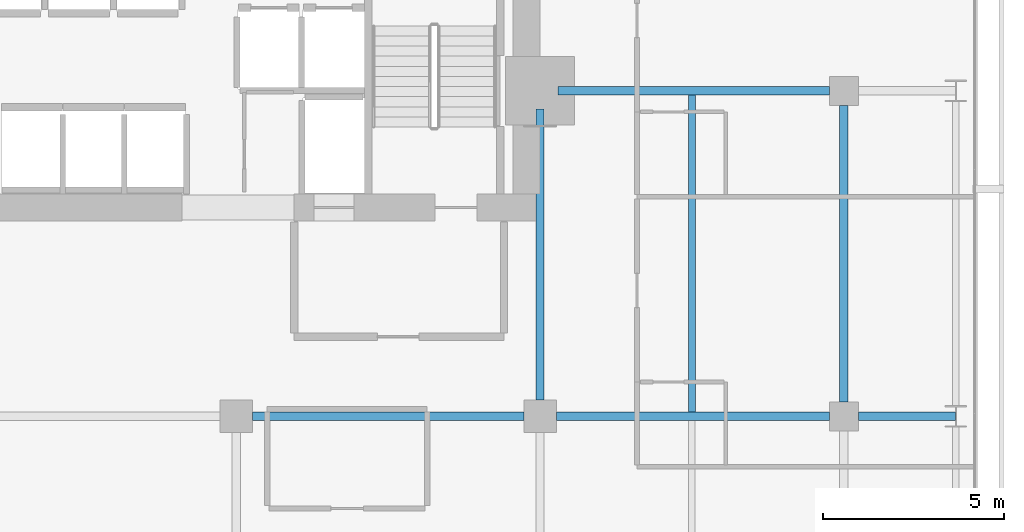
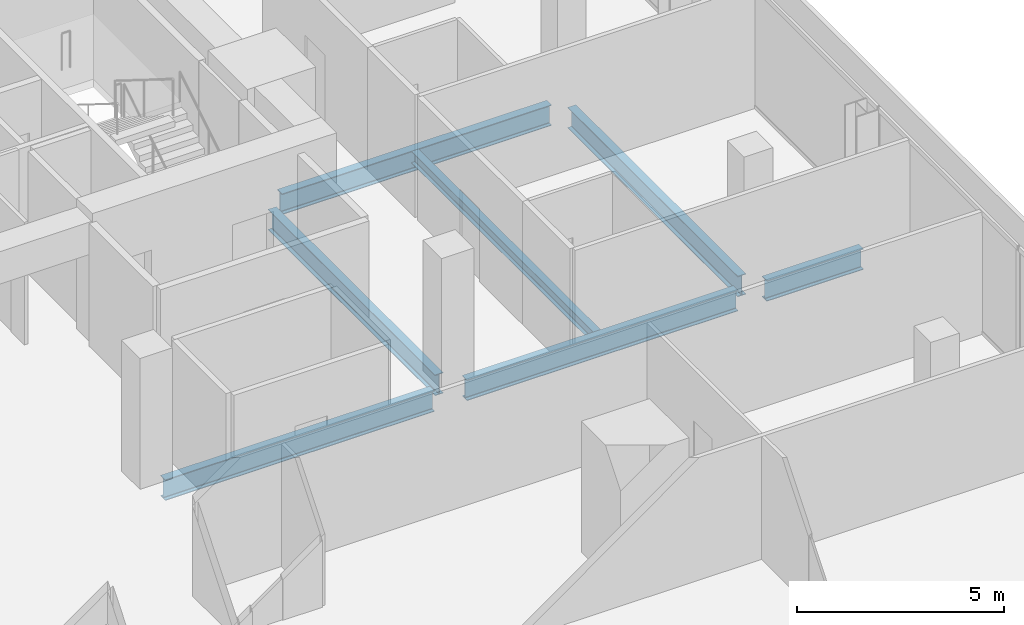
# One storey, part 23 of 33: 7 beams.
"""IFC4 building model written with IfcOpenShell, lengths in metres."""

from ifc_helpers import new_model, si_unit, direction, frame, origin, origin_2d, place, context, subcontext, project, spatial, i_section, extrude, material, material_profile, profile_set, type_object, element, save


model = new_model("IFC4")

# Units and contexts
model_context = context("Model", 3, precision=1e-05, world=origin(), true_north=direction((0.0, 1.0)))
body_context = subcontext(model_context, "Body", "Model", "MODEL_VIEW")
ifc_project = project(units=[si_unit("LENGTHUNIT", "METRE"), si_unit("AREAUNIT", "SQUARE_METRE"), si_unit("VOLUMEUNIT", "CUBIC_METRE"), si_unit("PLANEANGLEUNIT", "RADIAN"), si_unit("MASSUNIT", "GRAM", prefix="KILO")], contexts=[model_context])

# Site, building, storey
site_placement = place(None, origin())
site = spatial("IfcSite", under=ifc_project, at=site_placement, CompositionType="ELEMENT")
building_placement = place(site_placement, origin())
building = spatial("IfcBuilding", under=site, at=building_placement, Name="Maruvema Waterfront Hotel and Observation Tower", CompositionType="ELEMENT")
storey_placement = place(building_placement, frame((0.0, 0.0, 154.35009765625)))
storey = spatial("IfcBuildingStorey", under=building, at=storey_placement, Name="L37", CompositionType="ELEMENT", Elevation=154.35009765625)

# Beams
ifc_material_1 = material(Name="Steel ASTM A572 Grade 50", Category="steel")
ifc_material_profile_1 = material_profile(ifc_material_1, i_section(OverallWidth=0.22900390625, OverallDepth=0.612060546875, WebThickness=0.011962890625, FlangeThickness=0.01953125, FilletRadius=0.01806640625, at=origin_2d()), Name="W610x125.0")
ifc_profile_set_1 = profile_set([ifc_material_profile_1], Name="Steel ASTM A572 Grade 50")
beam_type_1 = type_object("IfcBeamType", Name="Primary Floor Girder W610x125.0", PredefinedType="BEAM", material=ifc_profile_set_1)
beam_1_placement = place(storey_placement, frame((42.449951171875, 36.0, -0.546142578125), z_axis=(1.0, 0.0, 0.0), x_axis=(0.0, 1.0, 0.0)))
element("IfcBeam", 1, at=beam_1_placement, inside=storey, type_object=beam_type_1, Name="L37 Floor Girder EW-27", PredefinedType="BEAM", context=body_context, shape_type="SweptSolid", body=[
    extrude(i_section(OverallWidth=0.22900390625, OverallDepth=0.612060546875, WebThickness=0.011962890625, FlangeThickness=0.01953125, FilletRadius=0.01806640625, at=origin_2d()), origin(), (0.0, 0.0, 1.0), 7.5),
])
beam_2_placement = place(storey_placement, frame((50.85009765625, 36.0, -0.546142578125), z_axis=(1.0, 0.0, 0.0), x_axis=(0.0, 1.0, 0.0)))
element("IfcBeam", 2, at=beam_2_placement, inside=storey, type_object=beam_type_1, Name="L37 Floor Girder EW-28", PredefinedType="BEAM", context=body_context, shape_type="SweptSolid", body=[
    extrude(i_section(OverallWidth=0.22900390625, OverallDepth=0.612060546875, WebThickness=0.011962890625, FlangeThickness=0.01953125, FilletRadius=0.01806640625, at=origin_2d()), origin(), (0.0, 0.0, 1.0), 7.5498046875),
])
beam_3_placement = place(storey_placement, frame((59.199951171875, 36.0, -0.546142578125), z_axis=(1.0, 0.0, 0.0), x_axis=(0.0, 1.0, 0.0)))
element("IfcBeam", 3, at=beam_3_placement, inside=storey, type_object=beam_type_1, Name="L37 Floor Girder EW-29", PredefinedType="BEAM", context=body_context, shape_type="SweptSolid", body=[
    extrude(i_section(OverallWidth=0.22900390625, OverallDepth=0.612060546875, WebThickness=0.011962890625, FlangeThickness=0.01953125, FilletRadius=0.01806640625, at=origin_2d()), origin(), (0.0, 0.0, 1.0), 2.6875),
])
beam_4_placement = place(storey_placement, frame((50.89990234375, 45.0, -0.546142578125), z_axis=(1.0, 0.0, 0.0), x_axis=(0.0, 1.0, 0.0)))
element("IfcBeam", 4, at=beam_4_placement, inside=storey, type_object=beam_type_1, Name="L37 Floor Girder EW-32", PredefinedType="BEAM", context=body_context, shape_type="SweptSolid", body=[
    extrude(i_section(OverallWidth=0.22900390625, OverallDepth=0.612060546875, WebThickness=0.011962890625, FlangeThickness=0.01953125, FilletRadius=0.01806640625, at=origin_2d()), origin(), (0.0, 0.0, 1.0), 7.5),
])
beam_5_placement = place(storey_placement, frame((50.39990234375, 36.449951171875, -0.546142578125), z_axis=(0.0, 1.0, 0.0), x_axis=(-1.0, 0.0, 0.0)))
element("IfcBeam", 5, at=beam_5_placement, inside=storey, type_object=beam_type_1, Name="L37 Floor Girder NS-24", PredefinedType="BEAM", context=body_context, shape_type="SweptSolid", body=[
    extrude(i_section(OverallWidth=0.22900390625, OverallDepth=0.612060546875, WebThickness=0.011962890625, FlangeThickness=0.01953125, FilletRadius=0.01806640625, at=origin_2d()), origin(), (0.0, 0.0, 1.0), 8.050048828125),
])
beam_6_placement = place(storey_placement, frame((58.800048828125, 36.39990234375, -0.546142578125), z_axis=(0.0, 1.0, 0.0), x_axis=(-1.0, 0.0, 0.0)))
element("IfcBeam", 6, at=beam_6_placement, inside=storey, type_object=beam_type_1, Name="L37 Floor Girder NS-28", PredefinedType="BEAM", context=body_context, shape_type="SweptSolid", body=[
    extrude(i_section(OverallWidth=0.22900390625, OverallDepth=0.612060546875, WebThickness=0.011962890625, FlangeThickness=0.01953125, FilletRadius=0.01806640625, at=origin_2d()), origin(), (0.0, 0.0, 1.0), 8.2001953125),
])
ifc_material_2 = material(Name="Steel ASTM A572 Grade 50", Category="steel")
ifc_material_profile_2 = material_profile(ifc_material_2, i_section(OverallWidth=0.202880859375, OverallDepth=0.346923828125, WebThickness=0.0078125, FlangeThickness=0.013427734375, FilletRadius=0.014892578125, at=origin_2d()), Name="W360x64.0")
ifc_profile_set_2 = profile_set([ifc_material_profile_2], Name="Steel ASTM A572 Grade 50")
beam_type_2 = type_object("IfcBeamType", Name="Secondary Floor Joist W360x64.0", PredefinedType="JOIST", material=ifc_profile_set_2)
beam_7_placement = place(storey_placement, frame((54.60009765625, 36.114501953125, -0.41357421875), z_axis=(0.0, 1.0, 0.0), x_axis=(-1.0, 0.0, 0.0)))
element("IfcBeam", 7, at=beam_7_placement, inside=storey, type_object=beam_type_2, Name="L37 Secondary Floor Joist JS-14", PredefinedType="JOIST", context=body_context, shape_type="SweptSolid", body=[
    extrude(i_section(OverallWidth=0.202880859375, OverallDepth=0.346923828125, WebThickness=0.0078125, FlangeThickness=0.013427734375, FilletRadius=0.014892578125, at=origin_2d()), origin(), (0.0, 0.0, 1.0), 8.77099609375),
])

save(model, "model.ifc")
